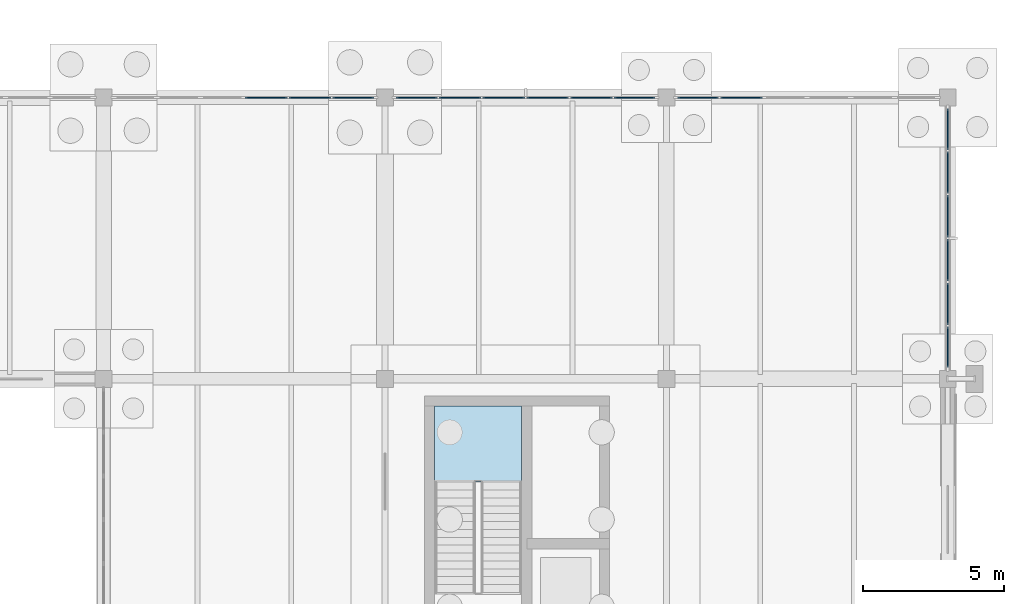
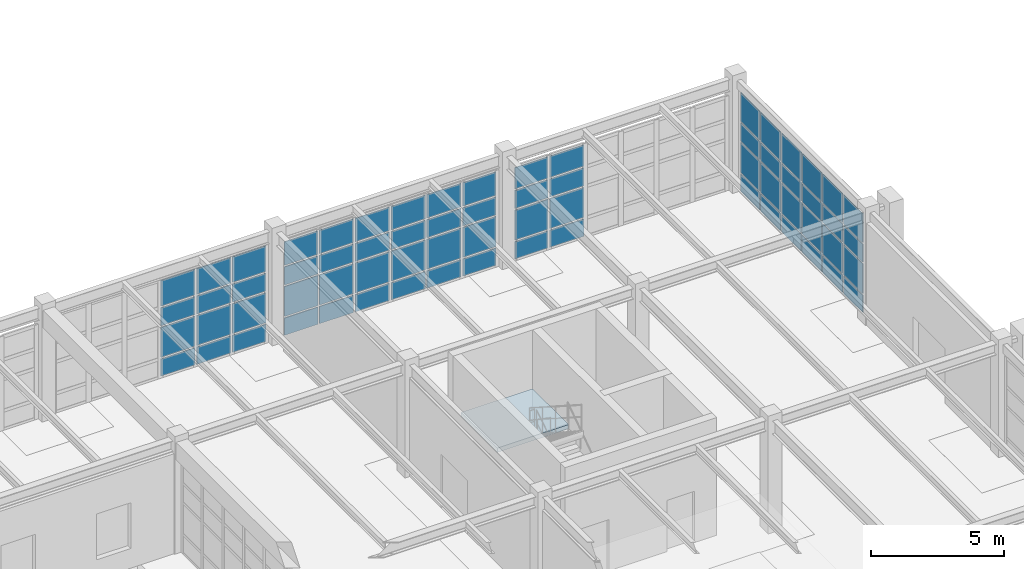
# One storey, part 97 of 145: 68 plates, 1 slab, 5 elements without a shape of their own.
"""IFC4 building model written with IfcOpenShell, lengths in metres."""

from ifc_helpers import new_model, si_unit, direction, frame, origin, origin_2d, place, context, subcontext, project, spatial, polyline, rectangle, outline, extrude, material, layer, layer_set, type_object, element, aggregate, save


model = new_model("IFC4")

# Units and contexts
model_context = context("Model", 3, precision=1e-05, world=origin(), true_north=direction((0.0, 1.0)))
body_context = subcontext(model_context, "Body", "Model", "MODEL_VIEW")
ifc_project = project(units=[si_unit("LENGTHUNIT", "METRE"), si_unit("AREAUNIT", "SQUARE_METRE"), si_unit("VOLUMEUNIT", "CUBIC_METRE"), si_unit("PLANEANGLEUNIT", "RADIAN"), si_unit("MASSUNIT", "GRAM", prefix="KILO"), si_unit("THERMODYNAMICTEMPERATUREUNIT", "KELVIN"), si_unit("POWERUNIT", "WATT")], contexts=[model_context])

# Site, building, storey
site_placement = place(None, origin())
site = spatial("IfcSite", under=ifc_project, at=site_placement, CompositionType="ELEMENT")
building_placement = place(site_placement, origin())
building = spatial("IfcBuilding", under=site, at=building_placement, Name="Korenveer Ferry Terminal", CompositionType="ELEMENT")
storey_placement = place(building_placement, origin())
storey = spatial("IfcBuildingStorey", under=building, at=storey_placement, Name="L00", CompositionType="ELEMENT", Elevation=0.0)

# Curtain wall, plates
ifc_material_1 = material(Name="Unitised bronze-and-glass curtain wall", Category="glass")
ifc_layer_1 = layer(ifc_material_1, 0.219970703125)
ifc_layer_set_1 = layer_set([ifc_layer_1], Name="Unitised bronze-and-glass curtain wall")
curtain_wall_type_1 = type_object("IfcCurtainWallType", Name="ENV-CW-10", PredefinedType="USERDEFINED", material=ifc_layer_set_1)
curtain_wall_1_placement = place(storey_placement, frame((146.330078125, 80.0, 0.0)))
curtain_wall_1 = element("IfcCurtainWall", 1, at=curtain_wall_1_placement, inside=storey, type_object=curtain_wall_type_1, Name="Lancet curtain wall CWX-L00-X146-156-Y80-80", ObjectType="UNITISED CURTAIN WALL", PredefinedType="USERDEFINED")
ifc_material_2 = material(Name="Acoustic laminated marine glazing", Category="glass")
ifc_layer_2 = layer(ifc_material_2, 0.035888671875)
ifc_layer_set_2 = layer_set([ifc_layer_2], Name="Acoustic laminated marine glazing")
plate_type = type_object("IfcPlateType", Name="ENV-CWP-GLZ36", PredefinedType="CURTAIN_PANEL", material=ifc_layer_set_2)
plate_1_placement = place(storey_placement, frame((151.7783203125, 80.0, 0.074951171875), z_axis=(0.0, 0.0, 1.0), x_axis=(1.0, 0.0, 0.0)))
plate_1 = element("IfcPlate", 2, at=plate_1_placement, type_object=plate_type, Name="CW-10 panel 4.1", PredefinedType="CURTAIN_PANEL", context=body_context, shape_type="SweptSolid", body=[
    extrude(rectangle(XDim=1.481689453125, YDim=0.035888671875, at=origin_2d()), origin(), (0.0, 0.0, 1.0), 0.78759765625),
])
plate_2_placement = place(storey_placement, frame((151.7783203125, 80.0, 0.9375), z_axis=(0.0, 0.0, 1.0), x_axis=(1.0, 0.0, 0.0)))
plate_2 = element("IfcPlate", 3, at=plate_2_placement, type_object=plate_type, Name="CW-10 panel 4.2", PredefinedType="CURTAIN_PANEL", context=body_context, shape_type="SweptSolid", body=[
    extrude(rectangle(XDim=1.481689453125, YDim=0.035888671875, at=origin_2d()), origin(), (0.0, 0.0, 1.0), 1.375),
])
plate_3_placement = place(storey_placement, frame((151.7783203125, 80.0, 2.3876953125), z_axis=(0.0, 0.0, 1.0), x_axis=(1.0, 0.0, 0.0)))
plate_3 = element("IfcPlate", 4, at=plate_3_placement, type_object=plate_type, Name="CW-10 panel 4.3", PredefinedType="CURTAIN_PANEL", context=body_context, shape_type="SweptSolid", body=[
    extrude(rectangle(XDim=1.481689453125, YDim=0.035888671875, at=origin_2d()), origin(), (0.0, 0.0, 1.0), 0.824951171875),
])
plate_4_placement = place(storey_placement, frame((151.7783203125, 80.0, 3.28759765625), z_axis=(0.0, 0.0, 1.0), x_axis=(1.0, 0.0, 0.0)))
plate_4 = element("IfcPlate", 5, at=plate_4_placement, type_object=plate_type, Name="CW-10 panel 4.4", PredefinedType="CURTAIN_PANEL", context=body_context, shape_type="SweptSolid", body=[
    extrude(rectangle(XDim=1.481689453125, YDim=0.035888671875, at=origin_2d()), origin(), (0.0, 0.0, 1.0), 1.177490234375),
])
plate_5_placement = place(storey_placement, frame((153.3349609375, 80.0, 0.074951171875), z_axis=(0.0, 0.0, 1.0), x_axis=(1.0, 0.0, 0.0)))
plate_5 = element("IfcPlate", 6, at=plate_5_placement, type_object=plate_type, Name="CW-10 panel 5.1", PredefinedType="CURTAIN_PANEL", context=body_context, shape_type="SweptSolid", body=[
    extrude(rectangle(XDim=1.481689453125, YDim=0.035888671875, at=origin_2d()), origin(), (0.0, 0.0, 1.0), 0.78759765625),
])
plate_6_placement = place(storey_placement, frame((153.3349609375, 80.0, 0.9375), z_axis=(0.0, 0.0, 1.0), x_axis=(1.0, 0.0, 0.0)))
plate_6 = element("IfcPlate", 7, at=plate_6_placement, type_object=plate_type, Name="CW-10 panel 5.2", PredefinedType="CURTAIN_PANEL", context=body_context, shape_type="SweptSolid", body=[
    extrude(rectangle(XDim=1.481689453125, YDim=0.035888671875, at=origin_2d()), origin(), (0.0, 0.0, 1.0), 1.375),
])
plate_7_placement = place(storey_placement, frame((153.3349609375, 80.0, 2.3876953125), z_axis=(0.0, 0.0, 1.0), x_axis=(1.0, 0.0, 0.0)))
plate_7 = element("IfcPlate", 8, at=plate_7_placement, type_object=plate_type, Name="CW-10 panel 5.3", PredefinedType="CURTAIN_PANEL", context=body_context, shape_type="SweptSolid", body=[
    extrude(rectangle(XDim=1.481689453125, YDim=0.035888671875, at=origin_2d()), origin(), (0.0, 0.0, 1.0), 0.824951171875),
])
plate_8_placement = place(storey_placement, frame((153.3349609375, 80.0, 3.28759765625), z_axis=(0.0, 0.0, 1.0), x_axis=(1.0, 0.0, 0.0)))
plate_8 = element("IfcPlate", 9, at=plate_8_placement, type_object=plate_type, Name="CW-10 panel 5.4", PredefinedType="CURTAIN_PANEL", context=body_context, shape_type="SweptSolid", body=[
    extrude(rectangle(XDim=1.481689453125, YDim=0.035888671875, at=origin_2d()), origin(), (0.0, 0.0, 1.0), 1.177490234375),
])
plate_9_placement = place(storey_placement, frame((154.872802734375, 80.0, 0.074951171875), z_axis=(0.0, 0.0, 1.0), x_axis=(1.0, 0.0, 0.0)))
plate_9 = element("IfcPlate", 10, at=plate_9_placement, type_object=plate_type, Name="CW-10 panel 6.1", PredefinedType="CURTAIN_PANEL", context=body_context, shape_type="SweptSolid", body=[
    extrude(rectangle(XDim=1.444091796875, YDim=0.035888671875, at=origin_2d()), origin(), (0.0, 0.0, 1.0), 0.78759765625),
])
plate_10_placement = place(storey_placement, frame((154.872802734375, 80.0, 0.9375), z_axis=(0.0, 0.0, 1.0), x_axis=(1.0, 0.0, 0.0)))
plate_10 = element("IfcPlate", 11, at=plate_10_placement, type_object=plate_type, Name="CW-10 panel 6.2", PredefinedType="CURTAIN_PANEL", context=body_context, shape_type="SweptSolid", body=[
    extrude(rectangle(XDim=1.444091796875, YDim=0.035888671875, at=origin_2d()), origin(), (0.0, 0.0, 1.0), 1.375),
])
plate_11_placement = place(storey_placement, frame((154.872802734375, 80.0, 2.3876953125), z_axis=(0.0, 0.0, 1.0), x_axis=(1.0, 0.0, 0.0)))
plate_11 = element("IfcPlate", 12, at=plate_11_placement, type_object=plate_type, Name="CW-10 panel 6.3", PredefinedType="CURTAIN_PANEL", context=body_context, shape_type="SweptSolid", body=[
    extrude(rectangle(XDim=1.444091796875, YDim=0.035888671875, at=origin_2d()), origin(), (0.0, 0.0, 1.0), 0.824951171875),
])
plate_12_placement = place(storey_placement, frame((154.872802734375, 80.0, 3.28759765625), z_axis=(0.0, 0.0, 1.0), x_axis=(1.0, 0.0, 0.0)))
plate_12 = element("IfcPlate", 13, at=plate_12_placement, type_object=plate_type, Name="CW-10 panel 6.4", PredefinedType="CURTAIN_PANEL", context=body_context, shape_type="SweptSolid", body=[
    extrude(rectangle(XDim=1.444091796875, YDim=0.035888671875, at=origin_2d()), origin(), (0.0, 0.0, 1.0), 1.177490234375),
])
aggregate(curtain_wall_1, [plate_1, plate_2, plate_3, plate_4, plate_5, plate_6, plate_7, plate_8, plate_9, plate_10, plate_11, plate_12])

ifc_layer_3 = layer(ifc_material_1, 0.219970703125)
ifc_layer_set_3 = layer_set([ifc_layer_3], Name="Unitised bronze-and-glass curtain wall")
curtain_wall_type_2 = type_object("IfcCurtainWallType", Name="ENV-CW-08", PredefinedType="USERDEFINED", material=ifc_layer_set_3)
curtain_wall_2_placement = place(storey_placement, frame((156.330078125, 80.0, 0.0)))
curtain_wall_2 = element("IfcCurtainWall", 14, at=curtain_wall_2_placement, inside=storey, type_object=curtain_wall_type_2, Name="Lancet curtain wall CWX-L00-X156-166-Y80-80", ObjectType="UNITISED CURTAIN WALL", PredefinedType="USERDEFINED")
plate_13_placement = place(storey_placement, frame((157.127197265625, 80.0, 0.074951171875), z_axis=(0.0, 0.0, 1.0), x_axis=(1.0, 0.0, 0.0)))
plate_13 = element("IfcPlate", 15, at=plate_13_placement, type_object=plate_type, Name="CW-08 panel 1.1", PredefinedType="CURTAIN_PANEL", context=body_context, shape_type="SweptSolid", body=[
    extrude(rectangle(XDim=1.444091796875, YDim=0.035888671875, at=origin_2d()), origin(), (0.0, 0.0, 1.0), 0.78759765625),
])
plate_14_placement = place(storey_placement, frame((157.127197265625, 80.0, 0.9375), z_axis=(0.0, 0.0, 1.0), x_axis=(1.0, 0.0, 0.0)))
plate_14 = element("IfcPlate", 16, at=plate_14_placement, type_object=plate_type, Name="CW-08 panel 1.2", PredefinedType="CURTAIN_PANEL", context=body_context, shape_type="SweptSolid", body=[
    extrude(rectangle(XDim=1.444091796875, YDim=0.035888671875, at=origin_2d()), origin(), (0.0, 0.0, 1.0), 1.375),
])
plate_15_placement = place(storey_placement, frame((157.127197265625, 80.0, 2.3876953125), z_axis=(0.0, 0.0, 1.0), x_axis=(1.0, 0.0, 0.0)))
plate_15 = element("IfcPlate", 17, at=plate_15_placement, type_object=plate_type, Name="CW-08 panel 1.3", PredefinedType="CURTAIN_PANEL", context=body_context, shape_type="SweptSolid", body=[
    extrude(rectangle(XDim=1.444091796875, YDim=0.035888671875, at=origin_2d()), origin(), (0.0, 0.0, 1.0), 0.824951171875),
])
plate_16_placement = place(storey_placement, frame((157.127197265625, 80.0, 3.28759765625), z_axis=(0.0, 0.0, 1.0), x_axis=(1.0, 0.0, 0.0)))
plate_16 = element("IfcPlate", 18, at=plate_16_placement, type_object=plate_type, Name="CW-08 panel 1.4", PredefinedType="CURTAIN_PANEL", context=body_context, shape_type="SweptSolid", body=[
    extrude(rectangle(XDim=1.444091796875, YDim=0.035888671875, at=origin_2d()), origin(), (0.0, 0.0, 1.0), 1.077392578125),
])
plate_17_placement = place(storey_placement, frame((158.6650390625, 80.0, 0.074951171875), z_axis=(0.0, 0.0, 1.0), x_axis=(1.0, 0.0, 0.0)))
plate_17 = element("IfcPlate", 19, at=plate_17_placement, type_object=plate_type, Name="CW-08 panel 2.1", PredefinedType="CURTAIN_PANEL", context=body_context, shape_type="SweptSolid", body=[
    extrude(rectangle(XDim=1.481689453125, YDim=0.035888671875, at=origin_2d()), origin(), (0.0, 0.0, 1.0), 0.78759765625),
])
plate_18_placement = place(storey_placement, frame((158.6650390625, 80.0, 0.9375), z_axis=(0.0, 0.0, 1.0), x_axis=(1.0, 0.0, 0.0)))
plate_18 = element("IfcPlate", 20, at=plate_18_placement, type_object=plate_type, Name="CW-08 panel 2.2", PredefinedType="CURTAIN_PANEL", context=body_context, shape_type="SweptSolid", body=[
    extrude(rectangle(XDim=1.481689453125, YDim=0.035888671875, at=origin_2d()), origin(), (0.0, 0.0, 1.0), 1.375),
])
plate_19_placement = place(storey_placement, frame((158.6650390625, 80.0, 2.3876953125), z_axis=(0.0, 0.0, 1.0), x_axis=(1.0, 0.0, 0.0)))
plate_19 = element("IfcPlate", 21, at=plate_19_placement, type_object=plate_type, Name="CW-08 panel 2.3", PredefinedType="CURTAIN_PANEL", context=body_context, shape_type="SweptSolid", body=[
    extrude(rectangle(XDim=1.481689453125, YDim=0.035888671875, at=origin_2d()), origin(), (0.0, 0.0, 1.0), 0.824951171875),
])
plate_20_placement = place(storey_placement, frame((158.6650390625, 80.0, 3.28759765625), z_axis=(0.0, 0.0, 1.0), x_axis=(1.0, 0.0, 0.0)))
plate_20 = element("IfcPlate", 22, at=plate_20_placement, type_object=plate_type, Name="CW-08 panel 2.4", PredefinedType="CURTAIN_PANEL", context=body_context, shape_type="SweptSolid", body=[
    extrude(rectangle(XDim=1.481689453125, YDim=0.035888671875, at=origin_2d()), origin(), (0.0, 0.0, 1.0), 1.077392578125),
])
plate_21_placement = place(storey_placement, frame((160.2216796875, 80.0, 0.074951171875), z_axis=(0.0, 0.0, 1.0), x_axis=(1.0, 0.0, 0.0)))
plate_21 = element("IfcPlate", 23, at=plate_21_placement, type_object=plate_type, Name="CW-08 panel 3.1", PredefinedType="CURTAIN_PANEL", context=body_context, shape_type="SweptSolid", body=[
    extrude(rectangle(XDim=1.481689453125, YDim=0.035888671875, at=origin_2d()), origin(), (0.0, 0.0, 1.0), 0.78759765625),
])
plate_22_placement = place(storey_placement, frame((160.2216796875, 80.0, 0.9375), z_axis=(0.0, 0.0, 1.0), x_axis=(1.0, 0.0, 0.0)))
plate_22 = element("IfcPlate", 24, at=plate_22_placement, type_object=plate_type, Name="CW-08 panel 3.2", PredefinedType="CURTAIN_PANEL", context=body_context, shape_type="SweptSolid", body=[
    extrude(rectangle(XDim=1.481689453125, YDim=0.035888671875, at=origin_2d()), origin(), (0.0, 0.0, 1.0), 1.375),
])
plate_23_placement = place(storey_placement, frame((160.2216796875, 80.0, 2.3876953125), z_axis=(0.0, 0.0, 1.0), x_axis=(1.0, 0.0, 0.0)))
plate_23 = element("IfcPlate", 25, at=plate_23_placement, type_object=plate_type, Name="CW-08 panel 3.3", PredefinedType="CURTAIN_PANEL", context=body_context, shape_type="SweptSolid", body=[
    extrude(rectangle(XDim=1.481689453125, YDim=0.035888671875, at=origin_2d()), origin(), (0.0, 0.0, 1.0), 0.824951171875),
])
plate_24_placement = place(storey_placement, frame((160.2216796875, 80.0, 3.28759765625), z_axis=(0.0, 0.0, 1.0), x_axis=(1.0, 0.0, 0.0)))
plate_24 = element("IfcPlate", 26, at=plate_24_placement, type_object=plate_type, Name="CW-08 panel 3.4", PredefinedType="CURTAIN_PANEL", context=body_context, shape_type="SweptSolid", body=[
    extrude(rectangle(XDim=1.481689453125, YDim=0.035888671875, at=origin_2d()), origin(), (0.0, 0.0, 1.0), 1.077392578125),
])
plate_25_placement = place(storey_placement, frame((161.7783203125, 80.0, 0.074951171875), z_axis=(0.0, 0.0, 1.0), x_axis=(1.0, 0.0, 0.0)))
plate_25 = element("IfcPlate", 27, at=plate_25_placement, type_object=plate_type, Name="CW-08 panel 4.1", PredefinedType="CURTAIN_PANEL", context=body_context, shape_type="SweptSolid", body=[
    extrude(rectangle(XDim=1.481689453125, YDim=0.035888671875, at=origin_2d()), origin(), (0.0, 0.0, 1.0), 0.78759765625),
])
plate_26_placement = place(storey_placement, frame((161.7783203125, 80.0, 0.9375), z_axis=(0.0, 0.0, 1.0), x_axis=(1.0, 0.0, 0.0)))
plate_26 = element("IfcPlate", 28, at=plate_26_placement, type_object=plate_type, Name="CW-08 panel 4.2", PredefinedType="CURTAIN_PANEL", context=body_context, shape_type="SweptSolid", body=[
    extrude(rectangle(XDim=1.481689453125, YDim=0.035888671875, at=origin_2d()), origin(), (0.0, 0.0, 1.0), 1.375),
])
plate_27_placement = place(storey_placement, frame((161.7783203125, 80.0, 2.3876953125), z_axis=(0.0, 0.0, 1.0), x_axis=(1.0, 0.0, 0.0)))
plate_27 = element("IfcPlate", 29, at=plate_27_placement, type_object=plate_type, Name="CW-08 panel 4.3", PredefinedType="CURTAIN_PANEL", context=body_context, shape_type="SweptSolid", body=[
    extrude(rectangle(XDim=1.481689453125, YDim=0.035888671875, at=origin_2d()), origin(), (0.0, 0.0, 1.0), 0.824951171875),
])
plate_28_placement = place(storey_placement, frame((161.7783203125, 80.0, 3.28759765625), z_axis=(0.0, 0.0, 1.0), x_axis=(1.0, 0.0, 0.0)))
plate_28 = element("IfcPlate", 30, at=plate_28_placement, type_object=plate_type, Name="CW-08 panel 4.4", PredefinedType="CURTAIN_PANEL", context=body_context, shape_type="SweptSolid", body=[
    extrude(rectangle(XDim=1.481689453125, YDim=0.035888671875, at=origin_2d()), origin(), (0.0, 0.0, 1.0), 1.077392578125),
])
plate_29_placement = place(storey_placement, frame((163.3349609375, 80.0, 0.074951171875), z_axis=(0.0, 0.0, 1.0), x_axis=(1.0, 0.0, 0.0)))
plate_29 = element("IfcPlate", 31, at=plate_29_placement, type_object=plate_type, Name="CW-08 panel 5.1", PredefinedType="CURTAIN_PANEL", context=body_context, shape_type="SweptSolid", body=[
    extrude(rectangle(XDim=1.481689453125, YDim=0.035888671875, at=origin_2d()), origin(), (0.0, 0.0, 1.0), 0.78759765625),
])
plate_30_placement = place(storey_placement, frame((163.3349609375, 80.0, 0.9375), z_axis=(0.0, 0.0, 1.0), x_axis=(1.0, 0.0, 0.0)))
plate_30 = element("IfcPlate", 32, at=plate_30_placement, type_object=plate_type, Name="CW-08 panel 5.2", PredefinedType="CURTAIN_PANEL", context=body_context, shape_type="SweptSolid", body=[
    extrude(rectangle(XDim=1.481689453125, YDim=0.035888671875, at=origin_2d()), origin(), (0.0, 0.0, 1.0), 1.375),
])
plate_31_placement = place(storey_placement, frame((163.3349609375, 80.0, 2.3876953125), z_axis=(0.0, 0.0, 1.0), x_axis=(1.0, 0.0, 0.0)))
plate_31 = element("IfcPlate", 33, at=plate_31_placement, type_object=plate_type, Name="CW-08 panel 5.3", PredefinedType="CURTAIN_PANEL", context=body_context, shape_type="SweptSolid", body=[
    extrude(rectangle(XDim=1.481689453125, YDim=0.035888671875, at=origin_2d()), origin(), (0.0, 0.0, 1.0), 0.824951171875),
])
plate_32_placement = place(storey_placement, frame((163.3349609375, 80.0, 3.28759765625), z_axis=(0.0, 0.0, 1.0), x_axis=(1.0, 0.0, 0.0)))
plate_32 = element("IfcPlate", 34, at=plate_32_placement, type_object=plate_type, Name="CW-08 panel 5.4", PredefinedType="CURTAIN_PANEL", context=body_context, shape_type="SweptSolid", body=[
    extrude(rectangle(XDim=1.481689453125, YDim=0.035888671875, at=origin_2d()), origin(), (0.0, 0.0, 1.0), 1.077392578125),
])
plate_33_placement = place(storey_placement, frame((164.872802734375, 80.0, 0.074951171875), z_axis=(0.0, 0.0, 1.0), x_axis=(1.0, 0.0, 0.0)))
plate_33 = element("IfcPlate", 35, at=plate_33_placement, type_object=plate_type, Name="CW-08 panel 6.1", PredefinedType="CURTAIN_PANEL", context=body_context, shape_type="SweptSolid", body=[
    extrude(rectangle(XDim=1.444091796875, YDim=0.035888671875, at=origin_2d()), origin(), (0.0, 0.0, 1.0), 0.78759765625),
])
plate_34_placement = place(storey_placement, frame((164.872802734375, 80.0, 0.9375), z_axis=(0.0, 0.0, 1.0), x_axis=(1.0, 0.0, 0.0)))
plate_34 = element("IfcPlate", 36, at=plate_34_placement, type_object=plate_type, Name="CW-08 panel 6.2", PredefinedType="CURTAIN_PANEL", context=body_context, shape_type="SweptSolid", body=[
    extrude(rectangle(XDim=1.444091796875, YDim=0.035888671875, at=origin_2d()), origin(), (0.0, 0.0, 1.0), 1.375),
])
plate_35_placement = place(storey_placement, frame((164.872802734375, 80.0, 2.3876953125), z_axis=(0.0, 0.0, 1.0), x_axis=(1.0, 0.0, 0.0)))
plate_35 = element("IfcPlate", 37, at=plate_35_placement, type_object=plate_type, Name="CW-08 panel 6.3", PredefinedType="CURTAIN_PANEL", context=body_context, shape_type="SweptSolid", body=[
    extrude(rectangle(XDim=1.444091796875, YDim=0.035888671875, at=origin_2d()), origin(), (0.0, 0.0, 1.0), 0.824951171875),
])
plate_36_placement = place(storey_placement, frame((164.872802734375, 80.0, 3.28759765625), z_axis=(0.0, 0.0, 1.0), x_axis=(1.0, 0.0, 0.0)))
plate_36 = element("IfcPlate", 38, at=plate_36_placement, type_object=plate_type, Name="CW-08 panel 6.4", PredefinedType="CURTAIN_PANEL", context=body_context, shape_type="SweptSolid", body=[
    extrude(rectangle(XDim=1.444091796875, YDim=0.035888671875, at=origin_2d()), origin(), (0.0, 0.0, 1.0), 1.077392578125),
])
aggregate(curtain_wall_2, [plate_13, plate_14, plate_15, plate_16, plate_17, plate_18, plate_19, plate_20, plate_21, plate_22, plate_23, plate_24, plate_25, plate_26, plate_27, plate_28, plate_29, plate_30, plate_31, plate_32, plate_33, plate_34, plate_35, plate_36])

ifc_layer_4 = layer(ifc_material_1, 0.219970703125)
ifc_layer_set_4 = layer_set([ifc_layer_4], Name="Unitised bronze-and-glass curtain wall")
curtain_wall_type_3 = type_object("IfcCurtainWallType", Name="ENV-CW-09", PredefinedType="USERDEFINED", material=ifc_layer_set_4)
curtain_wall_3_placement = place(storey_placement, frame((166.330078125, 80.0, 0.0)))
curtain_wall_3 = element("IfcCurtainWall", 39, at=curtain_wall_3_placement, inside=storey, type_object=curtain_wall_type_3, Name="Lancet curtain wall CWX-L00-X166-176-Y80-80", ObjectType="UNITISED CURTAIN WALL", PredefinedType="USERDEFINED")
plate_37_placement = place(storey_placement, frame((167.127197265625, 80.0, 0.074951171875), z_axis=(0.0, 0.0, 1.0), x_axis=(1.0, 0.0, 0.0)))
plate_37 = element("IfcPlate", 40, at=plate_37_placement, type_object=plate_type, Name="CW-09 panel 1.1", PredefinedType="CURTAIN_PANEL", context=body_context, shape_type="SweptSolid", body=[
    extrude(rectangle(XDim=1.444091796875, YDim=0.035888671875, at=origin_2d()), origin(), (0.0, 0.0, 1.0), 0.78759765625),
])
plate_38_placement = place(storey_placement, frame((167.127197265625, 80.0, 0.9375), z_axis=(0.0, 0.0, 1.0), x_axis=(1.0, 0.0, 0.0)))
plate_38 = element("IfcPlate", 41, at=plate_38_placement, type_object=plate_type, Name="CW-09 panel 1.2", PredefinedType="CURTAIN_PANEL", context=body_context, shape_type="SweptSolid", body=[
    extrude(rectangle(XDim=1.444091796875, YDim=0.035888671875, at=origin_2d()), origin(), (0.0, 0.0, 1.0), 1.375),
])
plate_39_placement = place(storey_placement, frame((167.127197265625, 80.0, 2.3876953125), z_axis=(0.0, 0.0, 1.0), x_axis=(1.0, 0.0, 0.0)))
plate_39 = element("IfcPlate", 42, at=plate_39_placement, type_object=plate_type, Name="CW-09 panel 1.3", PredefinedType="CURTAIN_PANEL", context=body_context, shape_type="SweptSolid", body=[
    extrude(rectangle(XDim=1.444091796875, YDim=0.035888671875, at=origin_2d()), origin(), (0.0, 0.0, 1.0), 0.824951171875),
])
plate_40_placement = place(storey_placement, frame((167.127197265625, 80.0, 3.28759765625), z_axis=(0.0, 0.0, 1.0), x_axis=(1.0, 0.0, 0.0)))
plate_40 = element("IfcPlate", 43, at=plate_40_placement, type_object=plate_type, Name="CW-09 panel 1.4", PredefinedType="CURTAIN_PANEL", context=body_context, shape_type="SweptSolid", body=[
    extrude(rectangle(XDim=1.444091796875, YDim=0.035888671875, at=origin_2d()), origin(), (0.0, 0.0, 1.0), 0.9775390625),
])
plate_41_placement = place(storey_placement, frame((168.6650390625, 80.0, 0.074951171875), z_axis=(0.0, 0.0, 1.0), x_axis=(1.0, 0.0, 0.0)))
plate_41 = element("IfcPlate", 44, at=plate_41_placement, type_object=plate_type, Name="CW-09 panel 2.1", PredefinedType="CURTAIN_PANEL", context=body_context, shape_type="SweptSolid", body=[
    extrude(rectangle(XDim=1.481689453125, YDim=0.035888671875, at=origin_2d()), origin(), (0.0, 0.0, 1.0), 0.78759765625),
])
plate_42_placement = place(storey_placement, frame((168.6650390625, 80.0, 0.9375), z_axis=(0.0, 0.0, 1.0), x_axis=(1.0, 0.0, 0.0)))
plate_42 = element("IfcPlate", 45, at=plate_42_placement, type_object=plate_type, Name="CW-09 panel 2.2", PredefinedType="CURTAIN_PANEL", context=body_context, shape_type="SweptSolid", body=[
    extrude(rectangle(XDim=1.481689453125, YDim=0.035888671875, at=origin_2d()), origin(), (0.0, 0.0, 1.0), 1.375),
])
plate_43_placement = place(storey_placement, frame((168.6650390625, 80.0, 2.3876953125), z_axis=(0.0, 0.0, 1.0), x_axis=(1.0, 0.0, 0.0)))
plate_43 = element("IfcPlate", 46, at=plate_43_placement, type_object=plate_type, Name="CW-09 panel 2.3", PredefinedType="CURTAIN_PANEL", context=body_context, shape_type="SweptSolid", body=[
    extrude(rectangle(XDim=1.481689453125, YDim=0.035888671875, at=origin_2d()), origin(), (0.0, 0.0, 1.0), 0.824951171875),
])
plate_44_placement = place(storey_placement, frame((168.6650390625, 80.0, 3.28759765625), z_axis=(0.0, 0.0, 1.0), x_axis=(1.0, 0.0, 0.0)))
plate_44 = element("IfcPlate", 47, at=plate_44_placement, type_object=plate_type, Name="CW-09 panel 2.4", PredefinedType="CURTAIN_PANEL", context=body_context, shape_type="SweptSolid", body=[
    extrude(rectangle(XDim=1.481689453125, YDim=0.035888671875, at=origin_2d()), origin(), (0.0, 0.0, 1.0), 0.9775390625),
])
aggregate(curtain_wall_3, [plate_37, plate_38, plate_39, plate_40, plate_41, plate_42, plate_43, plate_44])

ifc_layer_5 = layer(ifc_material_1, 0.219970703125)
ifc_layer_set_5 = layer_set([ifc_layer_5], Name="Unitised bronze-and-glass curtain wall")
curtain_wall_type_4 = type_object("IfcCurtainWallType", Name="ENV-CW-36", PredefinedType="USERDEFINED", material=ifc_layer_set_5)
curtain_wall_4_placement = place(storey_placement, frame((176.0, 79.669921875, 0.0)))
curtain_wall_4 = element("IfcCurtainWall", 48, at=curtain_wall_4_placement, inside=storey, type_object=curtain_wall_type_4, Name="Lancet curtain wall CWX-L00-X176-176-Y70-80", ObjectType="UNITISED CURTAIN WALL", PredefinedType="USERDEFINED")
plate_45_placement = place(storey_placement, frame((176.0, 78.872802734375, 0.074951171875), z_axis=(0.0, 0.0, 1.0), x_axis=(0.0, -1.0, 0.0)))
plate_45 = element("IfcPlate", 49, at=plate_45_placement, type_object=plate_type, Name="CW-36 panel 1.1", PredefinedType="CURTAIN_PANEL", context=body_context, shape_type="SweptSolid", body=[
    extrude(rectangle(XDim=1.444091796875, YDim=0.035888671875, at=origin_2d()), origin(), (0.0, 0.0, 1.0), 0.78759765625),
])
plate_46_placement = place(storey_placement, frame((176.0, 78.872802734375, 0.9375), z_axis=(0.0, 0.0, 1.0), x_axis=(0.0, -1.0, 0.0)))
plate_46 = element("IfcPlate", 50, at=plate_46_placement, type_object=plate_type, Name="CW-36 panel 1.2", PredefinedType="CURTAIN_PANEL", context=body_context, shape_type="SweptSolid", body=[
    extrude(rectangle(XDim=1.444091796875, YDim=0.035888671875, at=origin_2d()), origin(), (0.0, 0.0, 1.0), 1.375),
])
plate_47_placement = place(storey_placement, frame((176.0, 78.872802734375, 2.3876953125), z_axis=(0.0, 0.0, 1.0), x_axis=(0.0, -1.0, 0.0)))
plate_47 = element("IfcPlate", 51, at=plate_47_placement, type_object=plate_type, Name="CW-36 panel 1.3", PredefinedType="CURTAIN_PANEL", context=body_context, shape_type="SweptSolid", body=[
    extrude(rectangle(XDim=1.444091796875, YDim=0.035888671875, at=origin_2d()), origin(), (0.0, 0.0, 1.0), 0.824951171875),
])
plate_48_placement = place(storey_placement, frame((176.0, 78.872802734375, 3.28759765625), z_axis=(0.0, 0.0, 1.0), x_axis=(0.0, -1.0, 0.0)))
plate_48 = element("IfcPlate", 52, at=plate_48_placement, type_object=plate_type, Name="CW-36 panel 1.4", PredefinedType="CURTAIN_PANEL", context=body_context, shape_type="SweptSolid", body=[
    extrude(rectangle(XDim=1.444091796875, YDim=0.035888671875, at=origin_2d()), origin(), (0.0, 0.0, 1.0), 1.327392578125),
])
plate_49_placement = place(storey_placement, frame((176.0, 77.3349609375, 0.074951171875), z_axis=(0.0, 0.0, 1.0), x_axis=(0.0, -1.0, 0.0)))
plate_49 = element("IfcPlate", 53, at=plate_49_placement, type_object=plate_type, Name="CW-36 panel 2.1", PredefinedType="CURTAIN_PANEL", context=body_context, shape_type="SweptSolid", body=[
    extrude(rectangle(XDim=1.481689453125, YDim=0.035888671875, at=origin_2d()), origin(), (0.0, 0.0, 1.0), 0.78759765625),
])
plate_50_placement = place(storey_placement, frame((176.0, 77.3349609375, 0.9375), z_axis=(0.0, 0.0, 1.0), x_axis=(0.0, -1.0, 0.0)))
plate_50 = element("IfcPlate", 54, at=plate_50_placement, type_object=plate_type, Name="CW-36 panel 2.2", PredefinedType="CURTAIN_PANEL", context=body_context, shape_type="SweptSolid", body=[
    extrude(rectangle(XDim=1.481689453125, YDim=0.035888671875, at=origin_2d()), origin(), (0.0, 0.0, 1.0), 1.375),
])
plate_51_placement = place(storey_placement, frame((176.0, 77.3349609375, 2.3876953125), z_axis=(0.0, 0.0, 1.0), x_axis=(0.0, -1.0, 0.0)))
plate_51 = element("IfcPlate", 55, at=plate_51_placement, type_object=plate_type, Name="CW-36 panel 2.3", PredefinedType="CURTAIN_PANEL", context=body_context, shape_type="SweptSolid", body=[
    extrude(rectangle(XDim=1.481689453125, YDim=0.035888671875, at=origin_2d()), origin(), (0.0, 0.0, 1.0), 0.824951171875),
])
plate_52_placement = place(storey_placement, frame((176.0, 77.3349609375, 3.28759765625), z_axis=(0.0, 0.0, 1.0), x_axis=(0.0, -1.0, 0.0)))
plate_52 = element("IfcPlate", 56, at=plate_52_placement, type_object=plate_type, Name="CW-36 panel 2.4", PredefinedType="CURTAIN_PANEL", context=body_context, shape_type="SweptSolid", body=[
    extrude(rectangle(XDim=1.481689453125, YDim=0.035888671875, at=origin_2d()), origin(), (0.0, 0.0, 1.0), 1.327392578125),
])
plate_53_placement = place(storey_placement, frame((176.0, 75.7783203125, 0.074951171875), z_axis=(0.0, 0.0, 1.0), x_axis=(0.0, -1.0, 0.0)))
plate_53 = element("IfcPlate", 57, at=plate_53_placement, type_object=plate_type, Name="CW-36 panel 3.1", PredefinedType="CURTAIN_PANEL", context=body_context, shape_type="SweptSolid", body=[
    extrude(rectangle(XDim=1.481689453125, YDim=0.035888671875, at=origin_2d()), origin(), (0.0, 0.0, 1.0), 0.78759765625),
])
plate_54_placement = place(storey_placement, frame((176.0, 75.7783203125, 0.9375), z_axis=(0.0, 0.0, 1.0), x_axis=(0.0, -1.0, 0.0)))
plate_54 = element("IfcPlate", 58, at=plate_54_placement, type_object=plate_type, Name="CW-36 panel 3.2", PredefinedType="CURTAIN_PANEL", context=body_context, shape_type="SweptSolid", body=[
    extrude(rectangle(XDim=1.481689453125, YDim=0.035888671875, at=origin_2d()), origin(), (0.0, 0.0, 1.0), 1.375),
])
plate_55_placement = place(storey_placement, frame((176.0, 75.7783203125, 2.3876953125), z_axis=(0.0, 0.0, 1.0), x_axis=(0.0, -1.0, 0.0)))
plate_55 = element("IfcPlate", 59, at=plate_55_placement, type_object=plate_type, Name="CW-36 panel 3.3", PredefinedType="CURTAIN_PANEL", context=body_context, shape_type="SweptSolid", body=[
    extrude(rectangle(XDim=1.481689453125, YDim=0.035888671875, at=origin_2d()), origin(), (0.0, 0.0, 1.0), 0.824951171875),
])
plate_56_placement = place(storey_placement, frame((176.0, 75.7783203125, 3.28759765625), z_axis=(0.0, 0.0, 1.0), x_axis=(0.0, -1.0, 0.0)))
plate_56 = element("IfcPlate", 60, at=plate_56_placement, type_object=plate_type, Name="CW-36 panel 3.4", PredefinedType="CURTAIN_PANEL", context=body_context, shape_type="SweptSolid", body=[
    extrude(rectangle(XDim=1.481689453125, YDim=0.035888671875, at=origin_2d()), origin(), (0.0, 0.0, 1.0), 1.327392578125),
])
plate_57_placement = place(storey_placement, frame((176.0, 74.2216796875, 0.074951171875), z_axis=(0.0, 0.0, 1.0), x_axis=(0.0, -1.0, 0.0)))
plate_57 = element("IfcPlate", 61, at=plate_57_placement, type_object=plate_type, Name="CW-36 panel 4.1", PredefinedType="CURTAIN_PANEL", context=body_context, shape_type="SweptSolid", body=[
    extrude(rectangle(XDim=1.481689453125, YDim=0.035888671875, at=origin_2d()), origin(), (0.0, 0.0, 1.0), 0.78759765625),
])
plate_58_placement = place(storey_placement, frame((176.0, 74.2216796875, 0.9375), z_axis=(0.0, 0.0, 1.0), x_axis=(0.0, -1.0, 0.0)))
plate_58 = element("IfcPlate", 62, at=plate_58_placement, type_object=plate_type, Name="CW-36 panel 4.2", PredefinedType="CURTAIN_PANEL", context=body_context, shape_type="SweptSolid", body=[
    extrude(rectangle(XDim=1.481689453125, YDim=0.035888671875, at=origin_2d()), origin(), (0.0, 0.0, 1.0), 1.375),
])
plate_59_placement = place(storey_placement, frame((176.0, 74.2216796875, 2.3876953125), z_axis=(0.0, 0.0, 1.0), x_axis=(0.0, -1.0, 0.0)))
plate_59 = element("IfcPlate", 63, at=plate_59_placement, type_object=plate_type, Name="CW-36 panel 4.3", PredefinedType="CURTAIN_PANEL", context=body_context, shape_type="SweptSolid", body=[
    extrude(rectangle(XDim=1.481689453125, YDim=0.035888671875, at=origin_2d()), origin(), (0.0, 0.0, 1.0), 0.824951171875),
])
plate_60_placement = place(storey_placement, frame((176.0, 74.2216796875, 3.28759765625), z_axis=(0.0, 0.0, 1.0), x_axis=(0.0, -1.0, 0.0)))
plate_60 = element("IfcPlate", 64, at=plate_60_placement, type_object=plate_type, Name="CW-36 panel 4.4", PredefinedType="CURTAIN_PANEL", context=body_context, shape_type="SweptSolid", body=[
    extrude(rectangle(XDim=1.481689453125, YDim=0.035888671875, at=origin_2d()), origin(), (0.0, 0.0, 1.0), 1.327392578125),
])
plate_61_placement = place(storey_placement, frame((176.0, 72.6650390625, 0.074951171875), z_axis=(0.0, 0.0, 1.0), x_axis=(0.0, -1.0, 0.0)))
plate_61 = element("IfcPlate", 65, at=plate_61_placement, type_object=plate_type, Name="CW-36 panel 5.1", PredefinedType="CURTAIN_PANEL", context=body_context, shape_type="SweptSolid", body=[
    extrude(rectangle(XDim=1.481689453125, YDim=0.035888671875, at=origin_2d()), origin(), (0.0, 0.0, 1.0), 0.78759765625),
])
plate_62_placement = place(storey_placement, frame((176.0, 72.6650390625, 0.9375), z_axis=(0.0, 0.0, 1.0), x_axis=(0.0, -1.0, 0.0)))
plate_62 = element("IfcPlate", 66, at=plate_62_placement, type_object=plate_type, Name="CW-36 panel 5.2", PredefinedType="CURTAIN_PANEL", context=body_context, shape_type="SweptSolid", body=[
    extrude(rectangle(XDim=1.481689453125, YDim=0.035888671875, at=origin_2d()), origin(), (0.0, 0.0, 1.0), 1.375),
])
plate_63_placement = place(storey_placement, frame((176.0, 72.6650390625, 2.3876953125), z_axis=(0.0, 0.0, 1.0), x_axis=(0.0, -1.0, 0.0)))
plate_63 = element("IfcPlate", 67, at=plate_63_placement, type_object=plate_type, Name="CW-36 panel 5.3", PredefinedType="CURTAIN_PANEL", context=body_context, shape_type="SweptSolid", body=[
    extrude(rectangle(XDim=1.481689453125, YDim=0.035888671875, at=origin_2d()), origin(), (0.0, 0.0, 1.0), 0.824951171875),
])
plate_64_placement = place(storey_placement, frame((176.0, 72.6650390625, 3.28759765625), z_axis=(0.0, 0.0, 1.0), x_axis=(0.0, -1.0, 0.0)))
plate_64 = element("IfcPlate", 68, at=plate_64_placement, type_object=plate_type, Name="CW-36 panel 5.4", PredefinedType="CURTAIN_PANEL", context=body_context, shape_type="SweptSolid", body=[
    extrude(rectangle(XDim=1.481689453125, YDim=0.035888671875, at=origin_2d()), origin(), (0.0, 0.0, 1.0), 1.327392578125),
])
plate_65_placement = place(storey_placement, frame((176.0, 71.127197265625, 0.074951171875), z_axis=(0.0, 0.0, 1.0), x_axis=(0.0, -1.0, 0.0)))
plate_65 = element("IfcPlate", 69, at=plate_65_placement, type_object=plate_type, Name="CW-36 panel 6.1", PredefinedType="CURTAIN_PANEL", context=body_context, shape_type="SweptSolid", body=[
    extrude(rectangle(XDim=1.444091796875, YDim=0.035888671875, at=origin_2d()), origin(), (0.0, 0.0, 1.0), 0.78759765625),
])
plate_66_placement = place(storey_placement, frame((176.0, 71.127197265625, 0.9375), z_axis=(0.0, 0.0, 1.0), x_axis=(0.0, -1.0, 0.0)))
plate_66 = element("IfcPlate", 70, at=plate_66_placement, type_object=plate_type, Name="CW-36 panel 6.2", PredefinedType="CURTAIN_PANEL", context=body_context, shape_type="SweptSolid", body=[
    extrude(rectangle(XDim=1.444091796875, YDim=0.035888671875, at=origin_2d()), origin(), (0.0, 0.0, 1.0), 1.375),
])
plate_67_placement = place(storey_placement, frame((176.0, 71.127197265625, 2.3876953125), z_axis=(0.0, 0.0, 1.0), x_axis=(0.0, -1.0, 0.0)))
plate_67 = element("IfcPlate", 71, at=plate_67_placement, type_object=plate_type, Name="CW-36 panel 6.3", PredefinedType="CURTAIN_PANEL", context=body_context, shape_type="SweptSolid", body=[
    extrude(rectangle(XDim=1.444091796875, YDim=0.035888671875, at=origin_2d()), origin(), (0.0, 0.0, 1.0), 0.824951171875),
])
plate_68_placement = place(storey_placement, frame((176.0, 71.127197265625, 3.28759765625), z_axis=(0.0, 0.0, 1.0), x_axis=(0.0, -1.0, 0.0)))
plate_68 = element("IfcPlate", 72, at=plate_68_placement, type_object=plate_type, Name="CW-36 panel 6.4", PredefinedType="CURTAIN_PANEL", context=body_context, shape_type="SweptSolid", body=[
    extrude(rectangle(XDim=1.444091796875, YDim=0.035888671875, at=origin_2d()), origin(), (0.0, 0.0, 1.0), 1.327392578125),
])
aggregate(curtain_wall_4, [plate_45, plate_46, plate_47, plate_48, plate_49, plate_50, plate_51, plate_52, plate_53, plate_54, plate_55, plate_56, plate_57, plate_58, plate_59, plate_60, plate_61, plate_62, plate_63, plate_64, plate_65, plate_66, plate_67, plate_68])

# Stair, slab
ifc_material_3 = material(Name="Concrete C40/50", Category="concrete")
stair_type = type_object("IfcStairType", Name="INT-ST-01", PredefinedType="HALF_TURN_STAIR", material=ifc_material_3)
stair_placement = place(storey_placement, frame((160.135009765625, 62.409912109375, 0.0)))
stair = element("IfcStair", 73, at=stair_placement, inside=storey, type_object=stair_type, Name="L00 East Schengen Core K4", PredefinedType="HALF_TURN_STAIR")
ifc_layer_6 = layer(ifc_material_3, 0.199951171875)
ifc_layer_set_6 = layer_set([ifc_layer_6], Name="Concrete C40/50")
slab_type = type_object("IfcSlabType", Name="INT-SL-LAND200", PredefinedType="LANDING", material=ifc_layer_set_6)
slab_placement = place(storey_placement, frame((0.0, 0.0, 2.5)))
slab = element("IfcSlab", 74, at=slab_placement, type_object=slab_type, Name="ST04 landing 1", PredefinedType="LANDING", context=body_context, shape_type="SweptSolid", body=[
    extrude(outline(polyline([(160.860107421875, 66.330078125), (160.860107421875, 69.0400390625), (157.760009765625, 69.0400390625), (157.760009765625, 66.330078125), (160.860107421875, 66.330078125)])), origin(), (0.0, 0.0, 1.0), 0.199951171875),
])
aggregate(stair, [slab])

save(model, "model.ifc")
